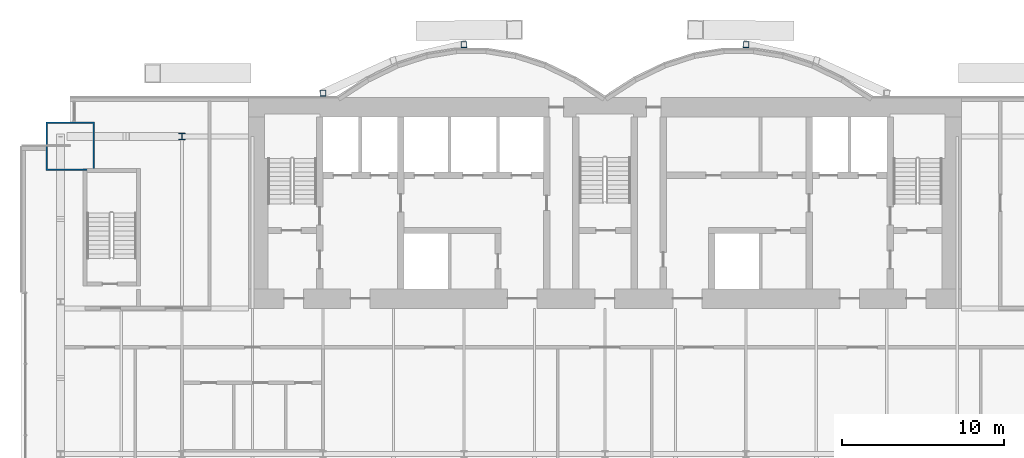
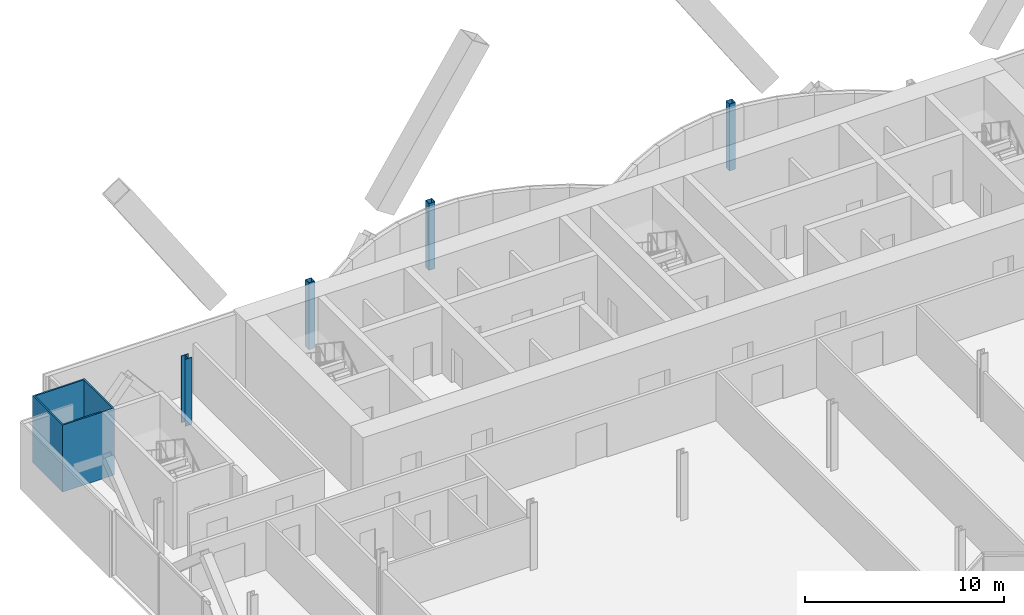
# One storey, part 2 of 21: 5 columns.
"""IFC4 building model written with IfcOpenShell, lengths in metres."""

from ifc_helpers import new_model, si_unit, direction, frame, origin, origin_2d, place, context, subcontext, project, spatial, hollow_rectangle, i_section, extrude, material, material_profile, profile_set, type_object, element, save


model = new_model("IFC4")

# Units and contexts
model_context = context("Model", 3, precision=1e-05, world=origin(), true_north=direction((0.0, 1.0)))
body_context = subcontext(model_context, "Body", "Model", "MODEL_VIEW")
ifc_project = project(units=[si_unit("LENGTHUNIT", "METRE"), si_unit("AREAUNIT", "SQUARE_METRE"), si_unit("VOLUMEUNIT", "CUBIC_METRE"), si_unit("PLANEANGLEUNIT", "RADIAN"), si_unit("MASSUNIT", "GRAM", prefix="KILO")], contexts=[model_context])

# Site, building, storey
site_placement = place(None, origin())
site = spatial("IfcSite", under=ifc_project, at=site_placement, CompositionType="ELEMENT")
building_placement = place(site_placement, origin())
building = spatial("IfcBuilding", under=site, at=building_placement, Name="Bicima Exchange Tower", CompositionType="ELEMENT")
storey_placement = place(building_placement, frame((0.0, 0.0, 118.60009765625)))
storey = spatial("IfcBuildingStorey", under=building, at=storey_placement, Name="L25", CompositionType="ELEMENT", Elevation=118.60009765625)

# Columns
ifc_material_1 = material(Name="Steel ASTM A572 Gr 50", Category="steel")
ifc_material_profile_1 = material_profile(ifc_material_1, hollow_rectangle(XDim=3.0, YDim=3.0, WallThickness=0.090087890625, at=origin_2d()))
ifc_profile_set_1 = profile_set([ifc_material_profile_1], Name="Steel ASTM A572 Gr 50")
column_type_1 = type_object("IfcColumnType", Name="Mega column BOX 3000x3000x90", PredefinedType="COLUMN", material=ifc_profile_set_1)
column_1_placement = place(storey_placement, frame((-33.0, -3.0, 0.0), z_axis=(0.0, 0.0, 1.0), x_axis=(1.0, 0.0, 0.0)))
element("IfcColumn", 1, at=column_1_placement, inside=storey, type_object=column_type_1, Name="Mega column mega-33.0r", PredefinedType="COLUMN", context=body_context, shape_type="SweptSolid", body=[
    extrude(hollow_rectangle(XDim=3.0, YDim=3.0, WallThickness=0.090087890625, at=origin_2d()), origin(), (0.0, 0.0, 1.0), 4.099853515625),
])
ifc_material_2 = material(Name="Steel ASTM A992 Gr 50", Category="steel")
ifc_material_profile_2 = material_profile(ifc_material_2, i_section(OverallWidth=0.398681640625, OverallDepth=0.393798828125, WebThickness=0.022705078125, FlangeThickness=0.03662109375, at=origin_2d()))
ifc_profile_set_2 = profile_set([ifc_material_profile_2], Name="Steel ASTM A992 Gr 50")
column_type_2 = type_object("IfcColumnType", Name="Perimeter column W14x193", PredefinedType="COLUMN", material=ifc_profile_set_2)
column_2_placement = place(storey_placement, frame((-26.10009765625, -2.39990234375, 0.0), z_axis=(0.0, 0.0, 1.0), x_axis=(1.0, 0.0, 0.0)))
element("IfcColumn", 2, at=column_2_placement, inside=storey, type_object=column_type_2, Name="Perimeter column grav-26.1r", PredefinedType="COLUMN", context=body_context, shape_type="SweptSolid", body=[
    extrude(i_section(OverallWidth=0.398681640625, OverallDepth=0.393798828125, WebThickness=0.022705078125, FlangeThickness=0.03662109375, at=origin_2d()), origin(), (0.0, 0.0, 1.0), 4.099853515625),
])
ifc_material_profile_3 = material_profile(ifc_material_1, hollow_rectangle(XDim=0.355712890625, YDim=0.355712890625, WallThickness=0.01171875, at=origin_2d()))
ifc_profile_set_3 = profile_set([ifc_material_profile_3], Name="Steel ASTM A572 Gr 50")
column_type_3 = type_object("IfcColumnType", Name="Rear pilaster HSS14x14x1/2", PredefinedType="COLUMN", material=ifc_profile_set_3)
for number, where, z_axis, x_axis, name in (
    (3, (-8.699951171875, 3.26904296875, 0.0), (0.0, 0.0, 1.0), (1.0, 0.0, 0.0), "Rear pilaster rexo-8.7r"),
    (4, (-17.39990234375, 0.278076171875, 0.0), (0.0, 0.0, 1.0), (1.0, 0.0, 0.0), "Rear pilaster rexo-17.4r"),
    (5, (8.699951171875, 3.26904296875, 0.0), (0.0, 0.0, 1.0), (1.0, 0.0, 0.0), "Rear pilaster rexo+8.7r"),
):
    element("IfcColumn", number, at=place(storey_placement, frame(where, z_axis=z_axis, x_axis=x_axis)), inside=storey, type_object=column_type_3, Name=name, PredefinedType="COLUMN", context=body_context, shape_type="SweptSolid", body=[
        extrude(hollow_rectangle(XDim=0.355712890625, YDim=0.355712890625, WallThickness=0.01171875, at=origin_2d()), origin(), (0.0, 0.0, 1.0), 4.099853515625),
    ])

save(model, "model.ifc")
